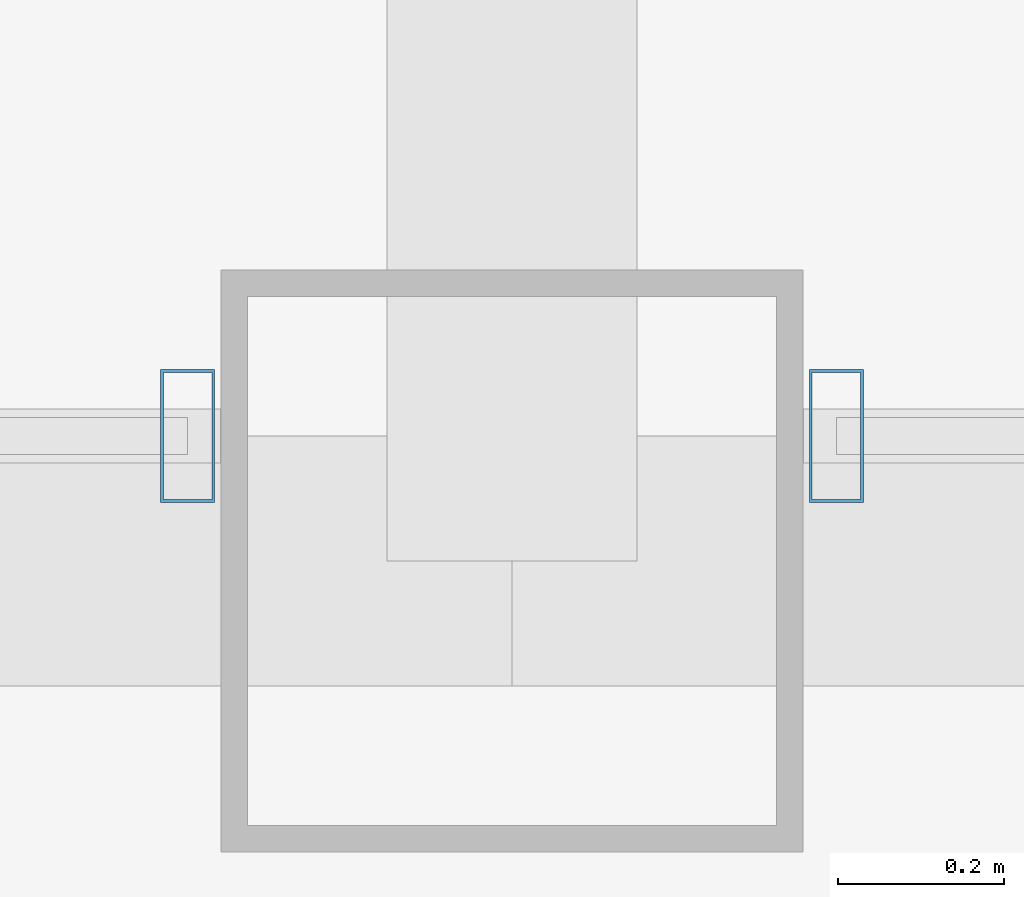
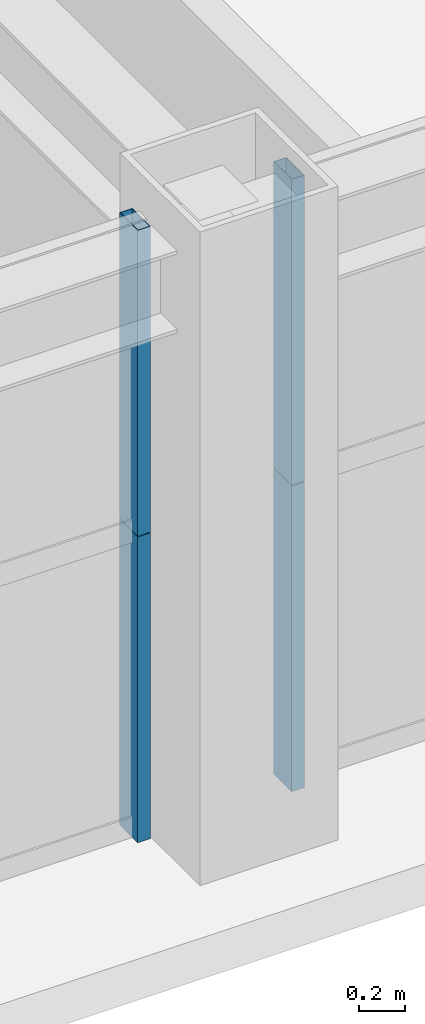
# One storey, part 9 of 36: 4 members, 2 elements without a shape of their own.
"""IFC4 building model written with IfcOpenShell, lengths in metres."""

from ifc_helpers import new_model, si_unit, direction, frame, origin, origin_2d, place, context, subcontext, project, spatial, hollow_rectangle, extrude, source, transform, mapped, material, layer, layer_set, material_profile, profile_set, type_object, element, aggregate, save


model = new_model("IFC4")

# Units and contexts
model_context = context("Model", 3, precision=1e-05, world=origin(), true_north=direction((0.0, 1.0)))
body_context = subcontext(model_context, "Body", "Model", "MODEL_VIEW")
ifc_project = project(units=[si_unit("LENGTHUNIT", "METRE"), si_unit("AREAUNIT", "SQUARE_METRE"), si_unit("VOLUMEUNIT", "CUBIC_METRE"), si_unit("PLANEANGLEUNIT", "RADIAN"), si_unit("MASSUNIT", "GRAM", prefix="KILO"), si_unit("THERMODYNAMICTEMPERATUREUNIT", "KELVIN"), si_unit("POWERUNIT", "WATT")], contexts=[model_context])

# Site, building, storey
site_placement = place(None, origin())
site = spatial("IfcSite", under=ifc_project, at=site_placement, CompositionType="ELEMENT")
building_placement = place(site_placement, origin())
building = spatial("IfcBuilding", under=site, at=building_placement, Name="Yuzanri Waterfront Tower", CompositionType="ELEMENT")
storey_placement = place(building_placement, frame((0.0, 0.0, 231.10009765625)))
storey = spatial("IfcBuildingStorey", under=building, at=storey_placement, Name="L61", CompositionType="ELEMENT", Elevation=231.10009765625)

# Curtain wall, members
ifc_material_1 = material(Name="Anodized Architectural Bronze", Category="metal")
ifc_layer = layer(ifc_material_1, 0.159912109375)
ifc_layer_set = layer_set([ifc_layer], Name="Anodized Architectural Bronze")
curtain_wall_type = type_object("IfcCurtainWallType", Name="Anodized Bronze Mid-Rise Residential Acoustic Unitized Curtain Wall 7200", PredefinedType="NOTDEFINED", material=ifc_layer_set)
curtain_wall_1_placement = place(storey_placement, origin())
curtain_wall_1 = element("IfcCurtainWall", 1, at=curtain_wall_1_placement, inside=storey, type_object=curtain_wall_type, Name="L61 Curtain Wall CW-L61-SL", PredefinedType="NOTDEFINED")
ifc_material_2 = material(Name="Anodized Architectural Bronze", Category="metal")
ifc_material_profile = material_profile(ifc_material_2, hollow_rectangle(XDim=0.06494140625, YDim=0.159912109375, WallThickness=0.00341796875, at=origin_2d()), Name="CWM 65x160")
ifc_profile_set = profile_set([ifc_material_profile], Name="Anodized Architectural Bronze")
member_type = type_object("IfcMemberType", Name="Anodized Bronze Upper-Zone Curtain-Wall Mullion 65x160", PredefinedType="MULLION", material=ifc_profile_set)
shared_shape = source(origin(), body_context, "Body", "SweptSolid", [
    extrude(hollow_rectangle(XDim=0.06494140625, YDim=0.159912109375, WallThickness=0.00341796875, at=origin_2d()), origin(), (0.0, 0.0, 1.0), 1.637939453125),
])
member_1_placement = place(storey_placement, frame((36.610107421875, 5.35009765625, 0.0), z_axis=(0.0, 0.0, 1.0), x_axis=(1.0, 0.0, 0.0)))
member_1 = element("IfcMember", 2, at=member_1_placement, type_object=member_type, Name="CW-L61-SL Lower Mullion 02", PredefinedType="MULLION", context=body_context, shape_type="MappedRepresentation", body=[
    mapped(shared_shape, transform((0.0, 0.0, 0.0), scale=1.0)),
])
member_2_placement = place(storey_placement, frame((36.610107421875, 5.35009765625, 1.641845703125), z_axis=(0.0, 0.0, 1.0), x_axis=(1.0, 0.0, 0.0)))
member_2 = element("IfcMember", 3, at=member_2_placement, type_object=member_type, Name="CW-L61-SL Upper Mullion 02", PredefinedType="MULLION", context=body_context, shape_type="MappedRepresentation", body=[
    mapped(shared_shape, transform((0.0, 0.0, 0.0), scale=1.0)),
])
aggregate(curtain_wall_1, [member_1, member_2])

curtain_wall_2_placement = place(storey_placement, origin())
curtain_wall_2 = element("IfcCurtainWall", 4, at=curtain_wall_2_placement, inside=storey, type_object=curtain_wall_type, Name="L61 Curtain Wall CW-L61-SR", PredefinedType="NOTDEFINED")
member_3_placement = place(storey_placement, frame((37.389892578125, 5.35009765625, 0.0), z_axis=(0.0, 0.0, 1.0), x_axis=(1.0, 0.0, 0.0)))
member_3 = element("IfcMember", 5, at=member_3_placement, type_object=member_type, Name="CW-L61-SR Lower Mullion 00", PredefinedType="MULLION", context=body_context, shape_type="MappedRepresentation", body=[
    mapped(shared_shape, transform((0.0, 0.0, 0.0), scale=1.0)),
])
member_4_placement = place(storey_placement, frame((37.389892578125, 5.35009765625, 1.641845703125), z_axis=(0.0, 0.0, 1.0), x_axis=(1.0, 0.0, 0.0)))
member_4 = element("IfcMember", 6, at=member_4_placement, type_object=member_type, Name="CW-L61-SR Upper Mullion 00", PredefinedType="MULLION", context=body_context, shape_type="MappedRepresentation", body=[
    mapped(shared_shape, transform((0.0, 0.0, 0.0), scale=1.0)),
])
aggregate(curtain_wall_2, [member_3, member_4])

save(model, "model.ifc")
